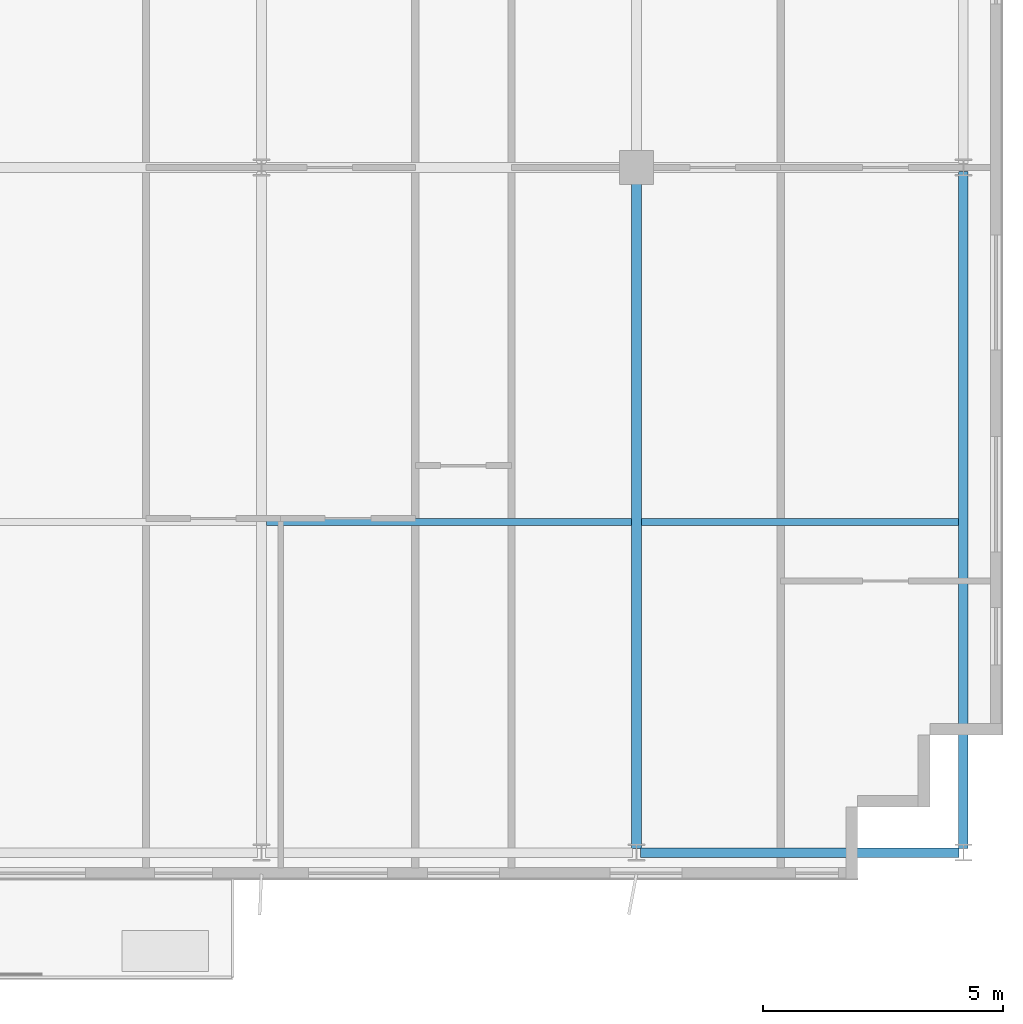
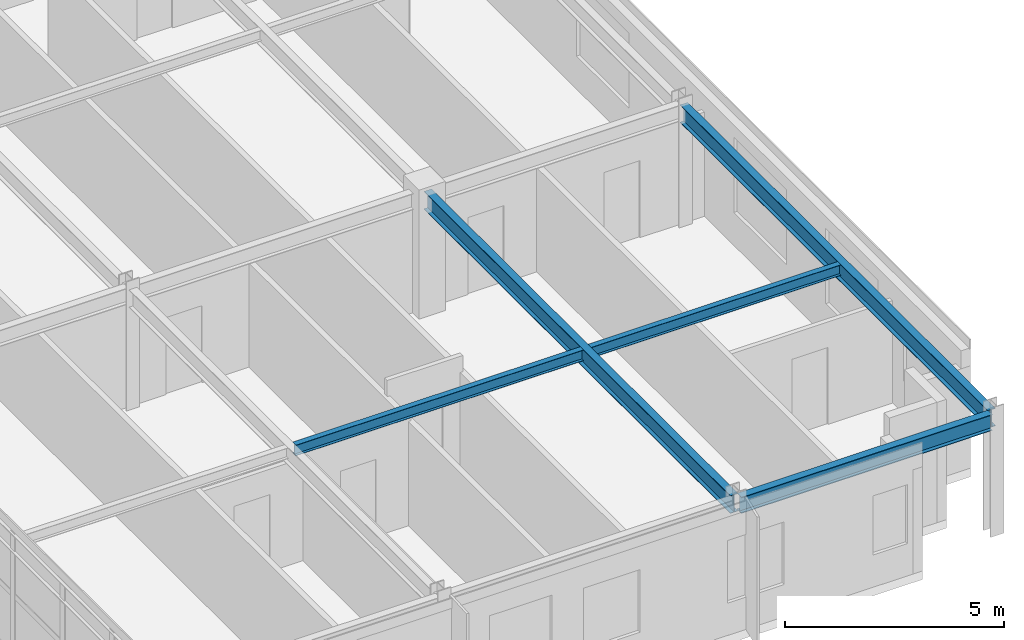
# One storey, part 12 of 34: 5 beams.
"""IFC4 building model written with IfcOpenShell, lengths in metres."""

from ifc_helpers import new_model, si_unit, direction, frame, origin, origin_2d, place, context, subcontext, project, spatial, i_section, extrude, source, transform, mapped, material, material_profile, profile_set, type_object, element, save


model = new_model("IFC4")

# Units and contexts
model_context = context("Model", 3, precision=1e-05, world=origin(), true_north=direction((0.0, 1.0)))
body_context = subcontext(model_context, "Body", "Model", "MODEL_VIEW")
ifc_project = project(units=[si_unit("LENGTHUNIT", "METRE"), si_unit("AREAUNIT", "SQUARE_METRE"), si_unit("VOLUMEUNIT", "CUBIC_METRE"), si_unit("PLANEANGLEUNIT", "RADIAN"), si_unit("MASSUNIT", "GRAM", prefix="KILO")], contexts=[model_context])

# Site, building, storey
site_placement = place(None, origin())
site = spatial("IfcSite", under=ifc_project, at=site_placement, CompositionType="ELEMENT")
building_placement = place(site_placement, origin())
building = spatial("IfcBuilding", under=site, at=building_placement, Name="Trelvane Seafront Commons", CompositionType="ELEMENT")
storey_placement = place(building_placement, frame((0.0, 0.0, 197.699951171875)))
storey = spatial("IfcBuildingStorey", under=building, at=storey_placement, Name="L51", CompositionType="ELEMENT", Elevation=197.699951171875)

# Beams
ifc_material = material(Name="Steel SM355 (S355)", Category="steel")
ifc_material_profile_1 = material_profile(ifc_material, i_section(OverallWidth=0.199951171875, OverallDepth=0.449951171875, WebThickness=0.009033203125, FlangeThickness=0.013916015625, at=origin_2d()), Name="H-450x200x9x14")
ifc_profile_set_1 = profile_set([ifc_material_profile_1], Name="Steel SM355 (S355)")
beam_type_1 = type_object("IfcBeamType", Name="STR-SPD-H450", PredefinedType="SPANDREL", material=ifc_profile_set_1)
shared_shape_1 = source(origin(), body_context, "Body", "SweptSolid", [
    extrude(i_section(OverallWidth=0.199951171875, OverallDepth=0.449951171875, WebThickness=0.009033203125, FlangeThickness=0.013916015625, at=origin_2d()), origin(), (0.0, 0.0, 1.0), 6.625),
])
beam_1_placement = place(storey_placement, frame((58.887451171875, 3.949951171875, 3.135009765625), z_axis=(1.0, 0.0, 0.0), x_axis=(0.0, 1.0, 0.0)))
element("IfcBeam", 1, at=beam_1_placement, inside=storey, type_object=beam_type_1, Name="L51 Primary Girder G-07", PredefinedType="SPANDREL", context=body_context, shape_type="MappedRepresentation", body=[
    mapped(shared_shape_1, transform((0.0, 0.0, 0.0), x_axis=(1.0, 0.0, 0.0), y_axis=(0.0, 1.0, 0.0), z_axis=(0.0, 0.0, 1.0), scale=1.0)),
])
ifc_material_profile_2 = material_profile(ifc_material, i_section(OverallWidth=0.199951171875, OverallDepth=0.5, WebThickness=0.010009765625, FlangeThickness=0.01611328125, at=origin_2d()), Name="H-500x200x10x16")
ifc_profile_set_2 = profile_set([ifc_material_profile_2], Name="Steel SM355 (S355)")
beam_type_2 = type_object("IfcBeamType", Name="STR-BM-H500", PredefinedType="BEAM", material=ifc_profile_set_2)
shared_shape_2 = source(origin(), body_context, "Body", "SweptSolid", [
    extrude(i_section(OverallWidth=0.199951171875, OverallDepth=0.5, WebThickness=0.010009765625, FlangeThickness=0.01611328125, at=origin_2d()), origin(), (0.0, 0.0, 1.0), 14.074951171875),
])
beam_2_placement = place(storey_placement, frame((65.60009765625, 4.03759765625, 3.110107421875), z_axis=(0.0, 1.0, 0.0), x_axis=(-1.0, 0.0, 0.0)))
element("IfcBeam", 2, at=beam_2_placement, inside=storey, type_object=beam_type_2, Name="L51 Primary Girder G-50", PredefinedType="BEAM", context=body_context, shape_type="MappedRepresentation", body=[
    mapped(shared_shape_2, transform((0.0, 0.0, 0.0), x_axis=(1.0, 0.0, 0.0), y_axis=(0.0, 1.0, 0.0), z_axis=(0.0, 0.0, 1.0), scale=1.0)),
])
shared_shape_3 = source(origin(), body_context, "Body", "SweptSolid", [
    extrude(i_section(OverallWidth=0.199951171875, OverallDepth=0.5, WebThickness=0.010009765625, FlangeThickness=0.01611328125, at=origin_2d()), origin(), (0.0, 0.0, 1.0), 14.012451171875),
])
beam_3_placement = place(storey_placement, frame((58.800048828125, 4.03759765625, 3.110107421875), z_axis=(0.0, 1.0, 0.0), x_axis=(-1.0, 0.0, 0.0)))
element("IfcBeam", 3, at=beam_3_placement, inside=storey, type_object=beam_type_2, Name="L51 Primary Girder G-47", PredefinedType="BEAM", context=body_context, shape_type="MappedRepresentation", body=[
    mapped(shared_shape_3, transform((0.0, 0.0, 0.0), x_axis=(1.0, 0.0, 0.0), y_axis=(0.0, 1.0, 0.0), z_axis=(0.0, 0.0, 1.0), scale=1.0)),
])
ifc_material_profile_3 = material_profile(ifc_material, i_section(OverallWidth=0.14990234375, OverallDepth=0.300048828125, WebThickness=0.006591796875, FlangeThickness=0.009033203125, at=origin_2d()), Name="H-300x150x6.5x9")
ifc_profile_set_3 = profile_set([ifc_material_profile_3], Name="Steel SM355 (S355)")
beam_type_3 = type_object("IfcBeamType", Name="STR-JST-H300", PredefinedType="JOIST", material=ifc_profile_set_3)
shared_shape_4 = source(origin(), body_context, "Body", "SweptSolid", [
    extrude(i_section(OverallWidth=0.14990234375, OverallDepth=0.300048828125, WebThickness=0.006591796875, FlangeThickness=0.009033203125, at=origin_2d()), origin(), (0.0, 0.0, 1.0), 6.60009765625),
])
beam_4_placement = place(storey_placement, frame((58.89990234375, 10.824951171875, 3.2099609375), z_axis=(1.0, 0.0, 0.0), x_axis=(0.0, 1.0, 0.0)))
element("IfcBeam", 4, at=beam_4_placement, inside=storey, type_object=beam_type_3, Name="L51 Secondary Floor Joist B-59", PredefinedType="JOIST", context=body_context, shape_type="MappedRepresentation", body=[
    mapped(shared_shape_4, transform((0.0, 0.0, 0.0), x_axis=(1.0, 0.0, 0.0), y_axis=(0.0, 1.0, 0.0), z_axis=(0.0, 0.0, 1.0), scale=1.0)),
])
shared_shape_5 = source(origin(), body_context, "Body", "SweptSolid", [
    extrude(i_section(OverallWidth=0.14990234375, OverallDepth=0.300048828125, WebThickness=0.006591796875, FlangeThickness=0.009033203125, at=origin_2d()), origin(), (0.0, 0.0, 1.0), 7.599853515625),
])
beam_5_placement = place(storey_placement, frame((51.10009765625, 10.824951171875, 3.2099609375), z_axis=(1.0, 0.0, 0.0), x_axis=(0.0, 1.0, 0.0)))
element("IfcBeam", 5, at=beam_5_placement, inside=storey, type_object=beam_type_3, Name="L51 Secondary Floor Joist B-58", PredefinedType="JOIST", context=body_context, shape_type="MappedRepresentation", body=[
    mapped(shared_shape_5, transform((0.0, 0.0, 0.0), x_axis=(1.0, 0.0, 0.0), y_axis=(0.0, 1.0, 0.0), z_axis=(0.0, 0.0, 1.0), scale=1.0)),
])

save(model, "model.ifc")
